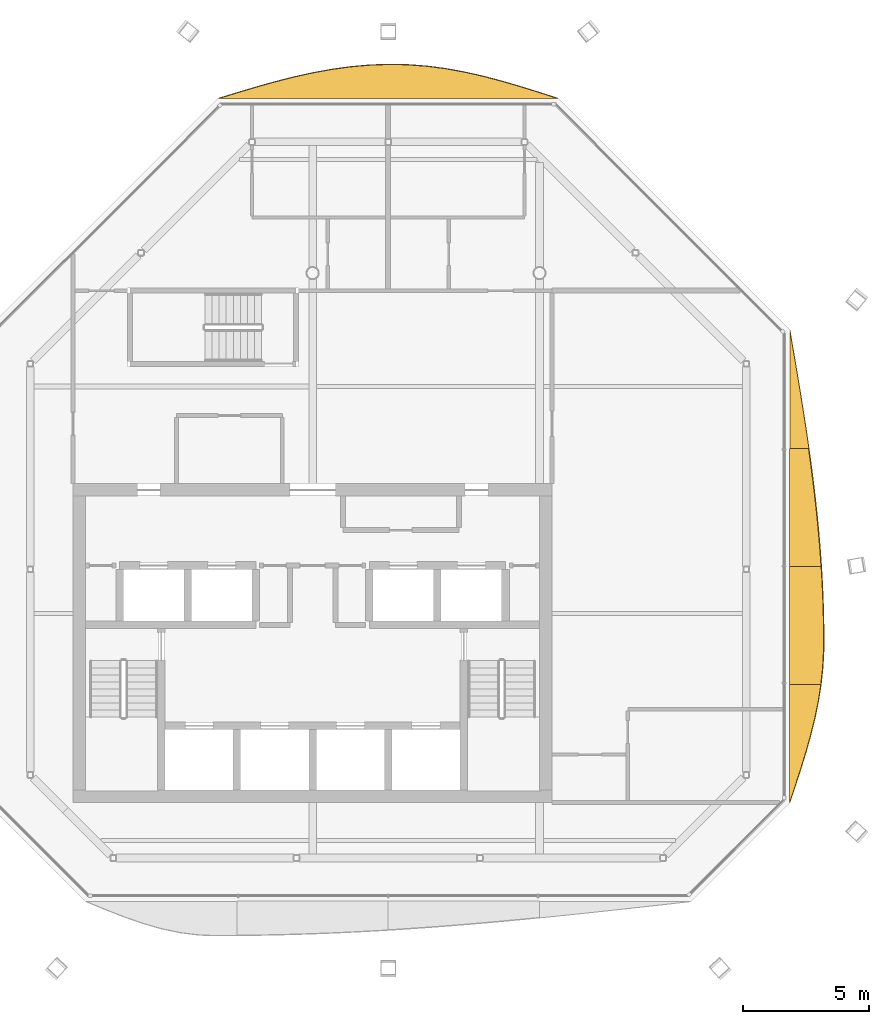
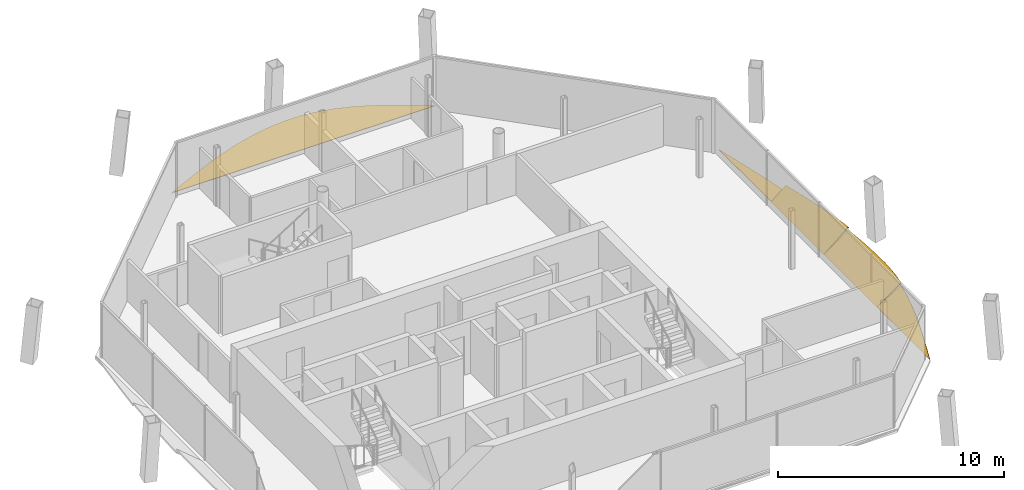
# One storey, part 13 of 13: 5 shading devices.
"""IFC4 building model written with IfcOpenShell, lengths in metres."""

from ifc_helpers import new_model, si_unit, direction, frame, origin, place, context, subcontext, project, spatial, polyline, outline, extrude, material, layer, layer_set, type_object, element, save


model = new_model("IFC4")

# Units and contexts
model_context = context("Model", 3, precision=1e-05, world=origin(), true_north=direction((0.0, 1.0)))
body_context = subcontext(model_context, "Body", "Model", "MODEL_VIEW")
ifc_project = project(units=[si_unit("LENGTHUNIT", "METRE"), si_unit("AREAUNIT", "SQUARE_METRE"), si_unit("VOLUMEUNIT", "CUBIC_METRE"), si_unit("PLANEANGLEUNIT", "RADIAN"), si_unit("MASSUNIT", "GRAM", prefix="KILO")], contexts=[model_context])

# Site, building, storey
site_placement = place(None, origin())
site = spatial("IfcSite", under=ifc_project, at=site_placement, CompositionType="ELEMENT")
building_placement = place(site_placement, origin())
building = spatial("IfcBuilding", under=site, at=building_placement, Name="Tskaro Facet Tower", CompositionType="ELEMENT")
storey_placement = place(building_placement, frame((0.0, 0.0, 281.550048828125)))
storey = spatial("IfcBuildingStorey", under=building, at=storey_placement, Name="L75", CompositionType="ELEMENT", Elevation=281.550048828125)

# Shading devices
ifc_material = material(Name="Bronze anodised aluminium 6063-T6", Category="aluminium")
ifc_layer = layer(ifc_material, 0.06005859375, Name="Bronze anodised aluminium 6063-T6")
ifc_layer_set = layer_set([ifc_layer], Name="Bronze anodised aluminium 6063-T6")
shading_device_type = type_object("IfcShadingDeviceType", Name="Bronze sun blade (FN1)", PredefinedType="USERDEFINED", material=ifc_layer_set)
shading_device_1_placement = place(storey_placement, frame((18.91796875, -11.990966796875, 0.052001953125), z_axis=(-0.499929311547, -1.9128675e-05, 0.866066211724), x_axis=(-9.562985e-06, 0.999999999817, 1.6566699e-05)))
element("IfcShadingDevice", 1, at=shading_device_1_placement, inside=storey, type_object=shading_device_type, Name="Fin blade east 1", ObjectType="FIN", PredefinedType="USERDEFINED", context=body_context, shape_type="SweptSolid", body=[
    extrude(outline(polyline([(0.0, 0.0), (4.680175780393747, 0.0), (4.680175782250124, -1.4326516330895191), (4.011718749192284, -1.3102505117080967), (3.3430175767619548, -1.152086390165859), (2.6743164052549404, -0.9620958801472455), (2.005859375427293, -0.7456389622317955), (1.3371582032006621, -0.5088319958924287), (0.668457030416168, -0.257913393656664), (0.0, 0.0)])), origin(), (0.0, 0.0, -1.0), 0.06005859375),
])
shading_device_2_placement = place(storey_placement, frame((18.91357421875, -7.310791015625, 0.049072265625), z_axis=(-0.573555751679, -1.207109e-05, 0.819166527374), x_axis=(-6.923443e-06, 0.999999999927, 9.888233e-06)))
element("IfcShadingDevice", 2, at=shading_device_2_placement, inside=storey, type_object=shading_device_type, Name="Fin blade east 2", ObjectType="FIN", PredefinedType="USERDEFINED", context=body_context, shape_type="SweptSolid", body=[
    extrude(outline(polyline([(0.0, 0.0), (4.680175780909023, 0.0), (4.680175781700118, -1.5301596384964653), (4.011718748985539, -1.5771614558850962), (3.3430175788003305, -1.6127228572301089), (2.674560545875923, -1.6367637778400952), (2.0058593747570606, -1.6490242623187794), (1.6474609367978867, -1.6507843263254898), (1.3371582046251744, -1.6458441543930427), (0.6687011715524658, -1.6022224367581352), (-6.36047523401608e-10, -1.514579017832347), (0.0, 0.0)])), origin(), (0.0, 0.0, -1.0), 0.06005859375),
])
shading_device_3_placement = place(storey_placement, frame((18.909423828125, -2.630615234375, 0.0458984375), z_axis=(-0.642817134394, -5.982653e-06, 0.766019667955), x_axis=(-3.845752e-06, 0.999999999982, 4.58283e-06)))
element("IfcShadingDevice", 3, at=shading_device_3_placement, inside=storey, type_object=shading_device_type, Name="Fin blade east 3", ObjectType="FIN", PredefinedType="USERDEFINED", context=body_context, shape_type="SweptSolid", body=[
    extrude(outline(polyline([(0.0, 0.0), (4.6804199217912394, 0.0), (4.680419921728798, -0.9867274919961496), (4.011718749636971, -1.10716901203977), (3.3432617190856977, -1.2194524092343424), (2.674560546587277, -1.3232638080259589), (2.005859375223513, -1.417354250258209), (1.3374023443205985, -1.501222843856684), (0.6687011713297352, -1.5743686967469745), (-3.0736816331331456e-10, -1.6362307593675807), (0.0, 0.0)])), origin(), (0.0, 0.0, -1.0), 0.06005859375),
])
shading_device_4_placement = place(storey_placement, frame((18.927490234375, 2.0498046875, 0.056396484375), z_axis=(-0.341942523956, 2.1694652e-05, 0.939720868045), x_axis=(7.418324e-06, 0.999999999765, -2.0386917e-05)))
element("IfcShadingDevice", 4, at=shading_device_4_placement, inside=storey, type_object=shading_device_type, Name="Fin blade east 4", ObjectType="FIN", PredefinedType="USERDEFINED", context=body_context, shape_type="SweptSolid", body=[
    extrude(outline(polyline([(0.0, 0.0), (4.680175780148619, 3.964263085660385e-21), (4.011474611706877, -0.1217918252693345), (3.3430175766456207, -0.24266595437825256), (2.6743164050245603, -0.3619130930619488), (2.0058593758263985, -0.47853206309847435), (1.337158200556793, -0.5916051683274128), (0.6684570311502822, -0.7004231144839588), (-2.178808926343131e-09, -0.8043811115093322), (0.0, 0.0)])), origin(), (0.0, 0.0, -1.0), 0.06005859375),
])
shading_device_5_placement = place(storey_placement, frame((9.72998046875, 15.91796875, 0.052001953125), z_axis=(2.972148e-06, -0.499939068569, 0.8660605797), x_axis=(-0.999999999996, -1.485893e-06, 2.57406e-06)))
element("IfcShadingDevice", 5, at=shading_device_5_placement, inside=storey, type_object=shading_device_type, Name="Fin blade north 1", ObjectType="FIN", PredefinedType="USERDEFINED", context=body_context, shape_type="SweptSolid", body=[
    extrude(outline(polyline([(0.0, 0.0), (13.45996093744055, 2.850257595704595e-21), (12.712158202678548, -0.2649081836149344), (11.964355468647526, -0.5220651996858592), (11.21655273409607, -0.7638986509378728), (10.468750000189385, -0.9838692984218206), (9.721191406469622, -1.1752831774497765), (8.973388672029358, -1.3325688667941162), (8.225585937641968, -1.4512448183854065), (7.477783203261625, -1.5279193573124084), (6.729980468648299, -1.5602906818220736), (6.56835937470481, -1.5613805549802657), (5.9821777345531615, -1.5459676050268008), (5.234375000107753, -1.4825262697368795), (4.4865722656492, -1.3717235411262614), (3.7387695314889977, -1.2172845901140654), (2.991210937378235, -1.024113845912158), (2.2434082029812026, -0.7980268406214893), (1.4956054685546851, -0.546563301214852), (0.7478027339961346, -0.2775964506729186), (0.0, 0.0)])), origin(), (0.0, 0.0, -1.0), 0.06005859375),
])

save(model, "model.ifc")
